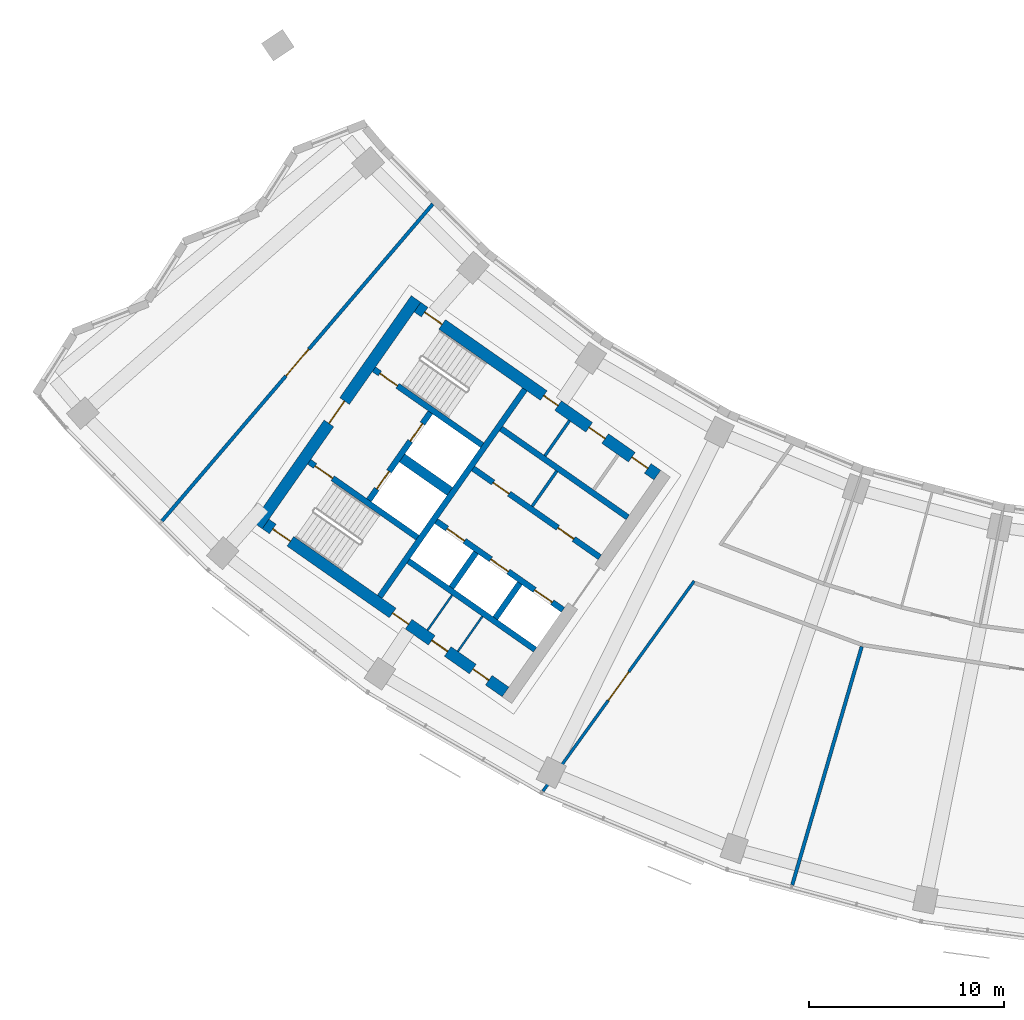
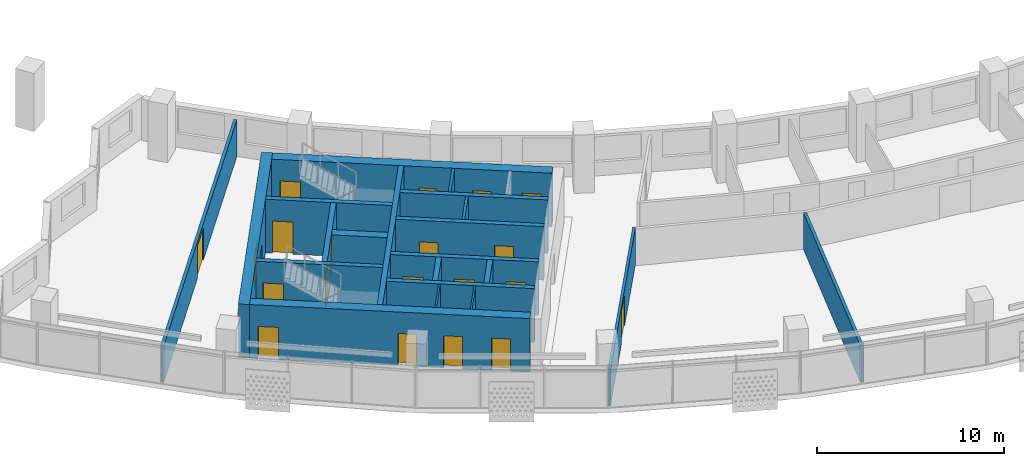
# One storey, part 3 of 26: 21 walls, 20 doors, 20 openings.
"""IFC4 building model written with IfcOpenShell, lengths in metres."""

from ifc_helpers import new_model, si_unit, direction, frame, frame_2d, origin, place, context, subcontext, project, spatial, rectangle, extrude, material, layer, layer_set, type_object, element, fill, save


model = new_model("IFC4")

# Units and contexts
model_context = context("Model", 3, precision=1e-05, world=origin(), true_north=direction((0.0, 1.0)))
body_context = subcontext(model_context, "Body", "Model", "MODEL_VIEW")
ifc_project = project(units=[si_unit("LENGTHUNIT", "METRE"), si_unit("AREAUNIT", "SQUARE_METRE"), si_unit("VOLUMEUNIT", "CUBIC_METRE"), si_unit("PLANEANGLEUNIT", "RADIAN"), si_unit("MASSUNIT", "GRAM", prefix="KILO")], contexts=[model_context])

# Site, building, storey
site_placement = place(None, origin())
site = spatial("IfcSite", under=ifc_project, at=site_placement, CompositionType="ELEMENT")
building_placement = place(site_placement, origin())
building = spatial("IfcBuilding", under=site, at=building_placement, Name="Qamariyya Broadcast Tower", CompositionType="ELEMENT")
storey_placement = place(building_placement, frame((0.0, 0.0, 168.300048828125)))
storey = spatial("IfcBuildingStorey", under=building, at=storey_placement, Name="L39", CompositionType="ELEMENT", Elevation=168.300048828125)

# Wall, opening, door
ifc_material_1 = material(Name="Concrete C60/75", Category="concrete")
ifc_layer_1 = layer(ifc_material_1, 0.60009765625)
ifc_layer_set_1 = layer_set([ifc_layer_1], Name="Core wall 600 mm Concrete C60/75")
wall_type_1 = type_object("IfcWallType", Name="Core wall 600 mm Concrete C60/75", PredefinedType="SHEAR", material=ifc_layer_set_1)
wall_1_placement = place(storey_placement, frame((-49.4833984375, -57.031494140625, 0.0), z_axis=(0.0, 0.0, 1.0), x_axis=(0.573560421458, 0.819163257805, 0.0)))
wall_1 = element("IfcWall", 1, at=wall_1_placement, inside=storey, type_object=wall_type_1, Name="k-W-L39-WH", PredefinedType="SHEAR", context=body_context, shape_type="SweptSolid", body=[
    extrude(rectangle(XDim=14.199951171875, YDim=0.60009765625, at=frame_2d((7.10009765625, 0.0))), origin(), (0.0, 0.0, 1.0), 3.5),
])
opening_1_placement = place(wall_1_placement, frame((6.39990234375, 0.0, 0.0)))
opening_1 = element("IfcOpeningElement", 2, at=opening_1_placement, cuts=wall_1, Name="Opening KD2-W1", PredefinedType="OPENING", context=body_context, shape_type="SweptSolid", body=[
    extrude(rectangle(XDim=1.39990234375, YDim=2.10009765625, at=frame_2d((0.699951171875, 1.050048828125))), frame((0.0, 0.31005859375, 0.0), z_axis=(0.0, -1.0, 0.0), x_axis=(1.0, 0.0, 0.0)), (0.0, 0.0, 1.0), 0.6201171875),
])
ifc_material_2 = material(Name="Steel fire-resisting door leaf", Category="steel")
door_type_1 = type_object("IfcDoorType", Name="Fire-fighting lobby door KD2", OperationType="DOUBLE_DOOR_SINGLE_SWING", PredefinedType="DOOR", material=ifc_material_2)
door_1_placement = place(opening_1_placement, origin())
door_1 = element("IfcDoor", 3, at=door_1_placement, inside=storey, type_object=door_type_1, Name="k-W-L39-WH-D15", OperationType="DOUBLE_DOOR_SINGLE_SWING", OverallHeight=2.10009765625, OverallWidth=1.39990234375, PredefinedType="DOOR", context=body_context, shape_type="SweptSolid", body=[
    extrude(rectangle(XDim=1.39990234375, YDim=2.10009765625, at=frame_2d((0.699951171875, 1.050048828125))), frame((0.0, 0.02490234375, 0.0), z_axis=(0.0, -1.0, 0.0), x_axis=(1.0, 0.0, 0.0)), (0.0, 0.0, 1.0), 0.050048828125),
])
fill(opening_1, door_1)

# Wall, openings, doors
wall_2_placement = place(storey_placement, frame((-28.940673828125, -54.447021484375, 0.0), z_axis=(0.0, 0.0, 1.0), x_axis=(-0.819153391756, 0.573574511963, 0.0)))
wall_2 = element("IfcWall", 4, at=wall_2_placement, inside=storey, type_object=wall_type_1, Name="k-W-L39-WI", PredefinedType="SHEAR", context=body_context, shape_type="SweptSolid", body=[
    extrude(rectangle(XDim=15.04541015625, YDim=0.60009765625, at=frame_2d((7.522705078125, 0.0))), origin(), (0.0, 0.0, 1.0), 3.5),
])
opening_2_placement = place(wall_2_placement, frame((0.60009765625, 0.0, 0.0)))
opening_2 = element("IfcOpeningElement", 5, at=opening_2_placement, cuts=wall_2, Name="Opening KD7-W1", PredefinedType="OPENING", context=body_context, shape_type="SweptSolid", body=[
    extrude(rectangle(XDim=1.0, YDim=2.10009765625, at=frame_2d((0.5, 1.050048828125))), frame((0.0, 0.31005859375, 0.0), z_axis=(0.0, -1.0, 0.0), x_axis=(1.0, 0.0, 0.0)), (0.0, 0.0, 1.0), 0.6201171875),
])
opening_3_placement = place(wall_2_placement, frame((3.27490234375, 0.0, 0.0)))
opening_3 = element("IfcOpeningElement", 6, at=opening_3_placement, cuts=wall_2, Name="Opening KD6-W3", PredefinedType="OPENING", context=body_context, shape_type="SweptSolid", body=[
    extrude(rectangle(XDim=1.0, YDim=2.10009765625, at=frame_2d((0.5, 1.050048828125))), frame((0.0, 0.31005859375, 0.0), z_axis=(0.0, -1.0, 0.0), x_axis=(1.0, 0.0, 0.0)), (0.0, 0.0, 1.0), 0.6201171875),
])
opening_4_placement = place(wall_2_placement, frame((6.22509765625, 0.0, 0.0)))
opening_4 = element("IfcOpeningElement", 7, at=opening_4_placement, cuts=wall_2, Name="Opening KD5-W1", PredefinedType="OPENING", context=body_context, shape_type="SweptSolid", body=[
    extrude(rectangle(XDim=0.89990234375, YDim=2.10009765625, at=frame_2d((0.449951171875, 1.050048828125))), frame((0.0, 0.31005859375, 0.0), z_axis=(0.0, -1.0, 0.0), x_axis=(1.0, 0.0, 0.0)), (0.0, 0.0, 1.0), 0.6201171875),
])
opening_5_placement = place(wall_2_placement, frame((13.495361328125, 0.0, 0.0)))
opening_5 = element("IfcOpeningElement", 8, at=opening_5_placement, cuts=wall_2, Name="Opening KD1-W1", PredefinedType="OPENING", context=body_context, shape_type="SweptSolid", body=[
    extrude(rectangle(XDim=1.10009765625, YDim=2.10009765625, at=frame_2d((0.550048828125, 1.050048828125))), frame((0.0, 0.31005859375, 0.0), z_axis=(0.0, -1.0, 0.0), x_axis=(1.0, 0.0, 0.0)), (0.0, 0.0, 1.0), 0.6201171875),
])
door_type_2 = type_object("IfcDoorType", Name="Accessible toilet door KD7", OperationType="SINGLE_SWING_LEFT", PredefinedType="DOOR", material=ifc_material_2)
door_2_placement = place(opening_2_placement, origin())
door_2 = element("IfcDoor", 9, at=door_2_placement, inside=storey, type_object=door_type_2, Name="k-W-L39-WI-D7", OperationType="SINGLE_SWING_RIGHT", OverallHeight=2.10009765625, OverallWidth=1.0, PredefinedType="DOOR", context=body_context, shape_type="SweptSolid", body=[
    extrude(rectangle(XDim=1.0, YDim=2.10009765625, at=frame_2d((0.5, 1.050048828125))), frame((0.0, 0.02490234375, 0.0), z_axis=(0.0, -1.0, 0.0), x_axis=(1.0, 0.0, 0.0)), (0.0, 0.0, 1.0), 0.050048828125),
])
fill(opening_2, door_2)
door_type_3 = type_object("IfcDoorType", Name="Core room door KD6", OperationType="SINGLE_SWING_LEFT", PredefinedType="DOOR", material=ifc_material_2)
door_3_placement = place(opening_3_placement, origin())
door_3 = element("IfcDoor", 10, at=door_3_placement, inside=storey, type_object=door_type_3, Name="k-W-L39-WI-D8", OperationType="SINGLE_SWING_LEFT", OverallHeight=2.10009765625, OverallWidth=1.0, PredefinedType="DOOR", context=body_context, shape_type="SweptSolid", body=[
    extrude(rectangle(XDim=1.0, YDim=2.10009765625, at=frame_2d((0.5, 1.050048828125))), frame((0.0, 0.02490234375, 0.0), z_axis=(0.0, -1.0, 0.0), x_axis=(1.0, 0.0, 0.0)), (0.0, 0.0, 1.0), 0.050048828125),
])
fill(opening_3, door_3)
door_type_4 = type_object("IfcDoorType", Name="Stair door KD1", OperationType="SINGLE_SWING_LEFT", PredefinedType="DOOR", material=ifc_material_2)
door_4_placement = place(opening_5_placement, origin())
door_4 = element("IfcDoor", 11, at=door_4_placement, inside=storey, type_object=door_type_4, Name="k-W-L39-WI-D16", OperationType="SINGLE_SWING_RIGHT", OverallHeight=2.10009765625, OverallWidth=1.10009765625, PredefinedType="DOOR", context=body_context, shape_type="SweptSolid", body=[
    extrude(rectangle(XDim=1.10009765625, YDim=2.10009765625, at=frame_2d((0.550048828125, 1.050048828125))), frame((0.0, 0.02490234375, 0.0), z_axis=(0.0, -1.0, 0.0), x_axis=(1.0, 0.0, 0.0)), (0.0, 0.0, 1.0), 0.050048828125),
])
fill(opening_5, door_4)
door_type_5 = type_object("IfcDoorType", Name="Toilet door KD5", OperationType="SINGLE_SWING_LEFT", PredefinedType="DOOR", material=ifc_material_2)
door_5_placement = place(opening_4_placement, origin())
door_5 = element("IfcDoor", 12, at=door_5_placement, inside=storey, type_object=door_type_5, Name="k-W-L39-WI-D9", OperationType="SINGLE_SWING_RIGHT", OverallHeight=2.10009765625, OverallWidth=0.89990234375, PredefinedType="DOOR", context=body_context, shape_type="SweptSolid", body=[
    extrude(rectangle(XDim=0.89990234375, YDim=2.10009765625, at=frame_2d((0.449951171875, 1.050048828125))), frame((0.0, 0.02490234375, 0.0), z_axis=(0.0, -1.0, 0.0), x_axis=(1.0, 0.0, 0.0)), (0.0, 0.0, 1.0), 0.050048828125),
])
fill(opening_4, door_5)

wall_3_placement = place(storey_placement, frame((-36.7412109375, -65.58740234375, 0.0), z_axis=(0.0, 0.0, 1.0), x_axis=(-0.819153391756, 0.573574511963, 0.0)))
wall_3 = element("IfcWall", 13, at=wall_3_placement, inside=storey, type_object=wall_type_1, Name="k-W-L39-WO", PredefinedType="SHEAR", context=body_context, shape_type="SweptSolid", body=[
    extrude(rectangle(XDim=15.04541015625, YDim=0.60009765625, at=frame_2d((7.522705078125, 0.0))), origin(), (0.0, 0.0, 1.0), 3.5),
])
opening_6_placement = place(wall_3_placement, frame((1.050048828125, 0.0, 0.0)))
opening_6 = element("IfcOpeningElement", 14, at=opening_6_placement, cuts=wall_3, Name="Opening KD4-W1", PredefinedType="OPENING", context=body_context, shape_type="SweptSolid", body=[
    extrude(rectangle(XDim=1.0, YDim=2.10009765625, at=frame_2d((0.5, 1.050048828125))), frame((0.0, 0.31005859375, 0.0), z_axis=(0.0, -1.0, 0.0), x_axis=(1.0, 0.0, 0.0)), (0.0, 0.0, 1.0), 0.6201171875),
])
opening_7_placement = place(wall_3_placement, frame((3.625, 0.0, 0.0)))
opening_7 = element("IfcOpeningElement", 15, at=opening_7_placement, cuts=wall_3, Name="Opening KD4-W2", PredefinedType="OPENING", context=body_context, shape_type="SweptSolid", body=[
    extrude(rectangle(XDim=1.0, YDim=2.10009765625, at=frame_2d((0.5, 1.050048828125))), frame((0.0, 0.31005859375, 0.0), z_axis=(0.0, -1.0, 0.0), x_axis=(1.0, 0.0, 0.0)), (0.0, 0.0, 1.0), 0.6201171875),
])
opening_8_placement = place(wall_3_placement, frame((6.074951171875, 0.0, 0.0)))
opening_8 = element("IfcOpeningElement", 16, at=opening_8_placement, cuts=wall_3, Name="Opening KD6-W4", PredefinedType="OPENING", context=body_context, shape_type="SweptSolid", body=[
    extrude(rectangle(XDim=1.0, YDim=2.10009765625, at=frame_2d((0.5, 1.050048828125))), frame((0.0, 0.31005859375, 0.0), z_axis=(0.0, -1.0, 0.0), x_axis=(1.0, 0.0, 0.0)), (0.0, 0.0, 1.0), 0.6201171875),
])
opening_9_placement = place(wall_3_placement, frame((13.495361328125, 0.0, 0.0)))
opening_9 = element("IfcOpeningElement", 17, at=opening_9_placement, cuts=wall_3, Name="Opening KD1-W3", PredefinedType="OPENING", context=body_context, shape_type="SweptSolid", body=[
    extrude(rectangle(XDim=1.10009765625, YDim=2.10009765625, at=frame_2d((0.550048828125, 1.050048828125))), frame((0.0, 0.31005859375, 0.0), z_axis=(0.0, -1.0, 0.0), x_axis=(1.0, 0.0, 0.0)), (0.0, 0.0, 1.0), 0.6201171875),
])
door_6_placement = place(opening_8_placement, origin())
door_6 = element("IfcDoor", 18, at=door_6_placement, inside=storey, type_object=door_type_3, Name="k-W-L39-WO-D12", OperationType="SINGLE_SWING_LEFT", OverallHeight=2.10009765625, OverallWidth=1.0, PredefinedType="DOOR", context=body_context, shape_type="SweptSolid", body=[
    extrude(rectangle(XDim=1.0, YDim=2.10009765625, at=frame_2d((0.5, 1.050048828125))), frame((0.0, 0.02490234375, 0.0), z_axis=(0.0, -1.0, 0.0), x_axis=(1.0, 0.0, 0.0)), (0.0, 0.0, 1.0), 0.050048828125),
])
fill(opening_8, door_6)
door_type_6 = type_object("IfcDoorType", Name="Riser and plant door KD4", OperationType="SINGLE_SWING_LEFT", PredefinedType="DOOR", material=ifc_material_2)
door_7_placement = place(opening_6_placement, origin())
door_7 = element("IfcDoor", 19, at=door_7_placement, inside=storey, type_object=door_type_6, Name="k-W-L39-WO-D10", OperationType="SINGLE_SWING_LEFT", OverallHeight=2.10009765625, OverallWidth=1.0, PredefinedType="DOOR", context=body_context, shape_type="SweptSolid", body=[
    extrude(rectangle(XDim=1.0, YDim=2.10009765625, at=frame_2d((0.5, 1.050048828125))), frame((0.0, 0.02490234375, 0.0), z_axis=(0.0, -1.0, 0.0), x_axis=(1.0, 0.0, 0.0)), (0.0, 0.0, 1.0), 0.050048828125),
])
fill(opening_6, door_7)
door_8_placement = place(opening_7_placement, origin())
door_8 = element("IfcDoor", 20, at=door_8_placement, inside=storey, type_object=door_type_6, Name="k-W-L39-WO-D11", OperationType="SINGLE_SWING_RIGHT", OverallHeight=2.10009765625, OverallWidth=1.0, PredefinedType="DOOR", context=body_context, shape_type="SweptSolid", body=[
    extrude(rectangle(XDim=1.0, YDim=2.10009765625, at=frame_2d((0.5, 1.050048828125))), frame((0.0, 0.02490234375, 0.0), z_axis=(0.0, -1.0, 0.0), x_axis=(1.0, 0.0, 0.0)), (0.0, 0.0, 1.0), 0.050048828125),
])
fill(opening_7, door_8)
door_9_placement = place(opening_9_placement, origin())
door_9 = element("IfcDoor", 21, at=door_9_placement, inside=storey, type_object=door_type_4, Name="k-W-L39-WO-D18", OperationType="SINGLE_SWING_LEFT", OverallHeight=2.10009765625, OverallWidth=1.10009765625, PredefinedType="DOOR", context=body_context, shape_type="SweptSolid", body=[
    extrude(rectangle(XDim=1.10009765625, YDim=2.10009765625, at=frame_2d((0.550048828125, 1.050048828125))), frame((0.0, 0.02490234375, 0.0), z_axis=(0.0, -1.0, 0.0), x_axis=(1.0, 0.0, 0.0)), (0.0, 0.0, 1.0), 0.050048828125),
])
fill(opening_9, door_9)

# Wall, opening, door
ifc_material_3 = material(Name="Gypsum board partition")
ifc_layer_2 = layer(ifc_material_3, 0.14990234375)
ifc_layer_set_2 = layer_set([ifc_layer_2], Name="Corridor partition 150 EI 60")
wall_type_2 = type_object("IfcWallType", Name="Corridor partition 150 EI 60", PredefinedType="PARTITIONING", material=ifc_layer_set_2)
wall_4_placement = place(storey_placement, frame((-27.048095703125, -59.886962890625, 0.0), z_axis=(0.0, 0.0, 1.0), x_axis=(-0.584166530414, -0.811633824298, 0.0)))
wall_4 = element("IfcWall", 22, at=wall_4_placement, inside=storey, type_object=wall_type_2, Name="Partition L39-002", PredefinedType="PARTITIONING", context=body_context, shape_type="SweptSolid", body=[
    extrude(rectangle(XDim=13.31103515625, YDim=0.14990234375, at=frame_2d((6.655517578125, 0.0))), origin(), (0.0, 0.0, 1.0), 2.39990234375),
])
opening_10_placement = place(wall_4_placement, frame((5.755615234375, 0.0, 0.0)))
opening_10 = element("IfcOpeningElement", 23, at=opening_10_placement, cuts=wall_4, Name="Opening L39-D01", PredefinedType="OPENING", context=body_context, shape_type="SweptSolid", body=[
    extrude(rectangle(XDim=1.800048828125, YDim=2.10009765625, at=frame_2d((0.89990234375, 1.050048828125))), frame((0.0, 0.0849609375, 0.0), z_axis=(0.0, -1.0, 0.0), x_axis=(1.0, 0.0, 0.0)), (0.0, 0.0, 1.0), 0.169921875),
])
ifc_material_4 = material(Name="Timber fire door leaf", Category="wood")
door_type_7 = type_object("IfcDoorType", Name="Double fire door 1800 x 2100 FD60", OperationType="NOTDEFINED", PredefinedType="DOOR", material=ifc_material_4)
door_10_placement = place(opening_10_placement, origin())
door_10 = element("IfcDoor", 24, at=door_10_placement, inside=storey, type_object=door_type_7, Name="Door L39-D01", OperationType="DOUBLE_DOOR_SINGLE_SWING", OverallHeight=2.10009765625, OverallWidth=1.800048828125, PredefinedType="DOOR", context=body_context, shape_type="SweptSolid", body=[
    extrude(rectangle(XDim=1.800048828125, YDim=2.10009765625, at=frame_2d((0.89990234375, 1.050048828125))), frame((0.0, 0.02490234375, 0.0), z_axis=(0.0, -1.0, 0.0), x_axis=(1.0, 0.0, 0.0)), (0.0, 0.0, 1.0), 0.050048828125),
])
fill(opening_10, door_10)

# Walls
ifc_layer_3 = layer(ifc_material_1, 0.5)
ifc_layer_set_3 = layer_set([ifc_layer_3], Name="Fire-fighting lobby divider wall 500 mm Concrete C60/75")
wall_type_3 = type_object("IfcWallType", Name="Fire-fighting lobby divider wall 500 mm Concrete C60/75", PredefinedType="SOLIDWALL", material=ifc_layer_set_3)
wall_5_placement = place(storey_placement, frame((-39.59912109375, -55.28515625, 0.0), z_axis=(0.0, 0.0, 1.0), x_axis=(-0.819136323161, 0.573598887793, 0.0)))
element("IfcWall", 25, at=wall_5_placement, inside=storey, type_object=wall_type_3, Name="k-W-L39-FD", PredefinedType="SOLIDWALL", context=body_context, shape_type="SweptSolid", body=[
    extrude(rectangle(XDim=2.999755859375, YDim=0.5, at=frame_2d((1.5, 0.0))), origin(), (0.0, 0.0, 1.0), 3.5),
])
ifc_material_5 = material(Name="Gypsum board partition on steel studs", Category="steel")
ifc_layer_4 = layer(ifc_material_5, 0.14990234375)
ifc_layer_set_4 = layer_set([ifc_layer_4], Name="Gypsum board partition 150 mm")
wall_type_4 = type_object("IfcWallType", Name="Gypsum board partition 150 mm", PredefinedType="PARTITIONING", material=ifc_layer_set_4)
wall_6_placement = place(storey_placement, frame((-35.371826171875, -56.047607421875, 0.0), z_axis=(0.0, 0.0, 1.0), x_axis=(0.573559170999, 0.819164133348, 0.0)))
element("IfcWall", 26, at=wall_6_placement, inside=storey, type_object=wall_type_4, Name="k-W-L39-NC435", PredefinedType="PARTITIONING", context=body_context, shape_type="SweptSolid", body=[
    extrude(rectangle(XDim=2.19970703125, YDim=0.14990234375, at=frame_2d((1.099853515625, 0.0))), origin(), (0.0, 0.0, 1.0), 3.5),
])
wall_7_placement = place(storey_placement, frame((-34.716064453125, -53.454833984375, 0.0), z_axis=(0.0, 0.0, 1.0), x_axis=(0.573507030513, 0.819200638399, 0.0)))
element("IfcWall", 27, at=wall_7_placement, inside=storey, type_object=wall_type_4, Name="k-W-L39-NP530", PredefinedType="PARTITIONING", context=body_context, shape_type="SweptSolid", body=[
    extrude(rectangle(XDim=2.199951171875, YDim=0.14990234375, at=frame_2d((1.10009765625, 0.0))), origin(), (0.0, 0.0, 1.0), 3.5),
])
ifc_layer_5 = layer(ifc_material_1, 0.300048828125)
ifc_layer_set_5 = layer_set([ifc_layer_5], Name="Lift shaft wall 300 mm Concrete C60/75")
wall_type_5 = type_object("IfcWallType", Name="Lift shaft wall 300 mm Concrete C60/75", PredefinedType="SOLIDWALL", material=ifc_layer_set_5)
wall_8_placement = place(storey_placement, frame((-43.204345703125, -60.69580078125, 0.0), z_axis=(0.0, 0.0, 1.0), x_axis=(0.573571992966, 0.819155155563, 0.0)))
element("IfcWall", 28, at=wall_8_placement, inside=storey, type_object=wall_type_5, Name="k-W-L39-WL", PredefinedType="SOLIDWALL", context=body_context, shape_type="SweptSolid", body=[
    extrude(rectangle(XDim=13.000244140625, YDim=0.300048828125, at=frame_2d((6.5, 0.0))), origin(), (0.0, 0.0, 1.0), 3.5),
])

# Wall, openings, doors
wall_9_placement = place(storey_placement, frame((-31.89453125, -58.66552734375, 0.0), z_axis=(0.0, 0.0, 1.0), x_axis=(-0.819166993208, 0.573555086491, 0.0)))
wall_9 = element("IfcWall", 29, at=wall_9_placement, inside=storey, type_object=wall_type_5, Name="k-W-L39-NF0", PredefinedType="SOLIDWALL", context=body_context, shape_type="SweptSolid", body=[
    extrude(rectangle(XDim=7.9501953125, YDim=0.300048828125, at=frame_2d((3.97509765625, 0.0))), origin(), (0.0, 0.0, 1.0), 3.5),
])
opening_11_placement = place(wall_9_placement, frame((1.637451171875, 0.0, 0.0)))
opening_11 = element("IfcOpeningElement", 30, at=opening_11_placement, cuts=wall_9, Name="Opening KD6-W1", PredefinedType="OPENING", context=body_context, shape_type="SweptSolid", body=[
    extrude(rectangle(XDim=1.0, YDim=2.10009765625, at=frame_2d((0.5, 1.050048828125))), frame((0.0, 0.159912109375, 0.0), z_axis=(0.0, -1.0, 0.0), x_axis=(1.0, 0.0, 0.0)), (0.0, 0.0, 1.0), 0.320068359375),
])
opening_12_placement = place(wall_9_placement, frame((5.6875, 0.0, 0.0)))
opening_12 = element("IfcOpeningElement", 31, at=opening_12_placement, cuts=wall_9, Name="Opening KD6-W2", PredefinedType="OPENING", context=body_context, shape_type="SweptSolid", body=[
    extrude(rectangle(XDim=1.0, YDim=2.10009765625, at=frame_2d((0.5, 1.050048828125))), frame((0.0, 0.159912109375, 0.0), z_axis=(0.0, -1.0, 0.0), x_axis=(1.0, 0.0, 0.0)), (0.0, 0.0, 1.0), 0.320068359375),
])
door_11_placement = place(opening_11_placement, origin())
door_11 = element("IfcDoor", 32, at=door_11_placement, inside=storey, type_object=door_type_3, Name="k-W-L39-NF0-D2", OperationType="SINGLE_SWING_LEFT", OverallHeight=2.10009765625, OverallWidth=1.0, PredefinedType="DOOR", context=body_context, shape_type="SweptSolid", body=[
    extrude(rectangle(XDim=1.0, YDim=2.10009765625, at=frame_2d((0.5, 1.050048828125))), frame((0.0, 0.02490234375, 0.0), z_axis=(0.0, -1.0, 0.0), x_axis=(1.0, 0.0, 0.0)), (0.0, 0.0, 1.0), 0.050048828125),
])
fill(opening_11, door_11)
door_12_placement = place(opening_12_placement, origin())
door_12 = element("IfcDoor", 33, at=door_12_placement, inside=storey, type_object=door_type_3, Name="k-W-L39-NF0-D3", OperationType="SINGLE_SWING_RIGHT", OverallHeight=2.10009765625, OverallWidth=1.0, PredefinedType="DOOR", context=body_context, shape_type="SweptSolid", body=[
    extrude(rectangle(XDim=1.0, YDim=2.10009765625, at=frame_2d((0.5, 1.050048828125))), frame((0.0, 0.02490234375, 0.0), z_axis=(0.0, -1.0, 0.0), x_axis=(1.0, 0.0, 0.0)), (0.0, 0.0, 1.0), 0.050048828125),
])
fill(opening_12, door_12)

# Wall
wall_10_placement = place(storey_placement, frame((-30.460693359375, -56.61767578125, 0.0), z_axis=(0.0, 0.0, 1.0), x_axis=(-0.819142461705, 0.573590121456, 0.0)))
element("IfcWall", 34, at=wall_10_placement, inside=storey, type_object=wall_type_5, Name="k-W-L39-NB0", PredefinedType="SOLIDWALL", context=body_context, shape_type="SweptSolid", body=[
    extrude(rectangle(XDim=7.949951171875, YDim=0.300048828125, at=frame_2d((3.97509765625, 0.0))), origin(), (0.0, 0.0, 1.0), 3.5),
])

# Wall, openings, doors
wall_11_placement = place(storey_placement, frame((-33.787353515625, -61.368896484375, 0.0), z_axis=(0.0, 0.0, 1.0), x_axis=(-0.819152564888, 0.573575692858, 0.0)))
wall_11 = element("IfcWall", 35, at=wall_11_placement, inside=storey, type_object=wall_type_5, Name="k-W-L39-SF0", PredefinedType="SOLIDWALL", context=body_context, shape_type="SweptSolid", body=[
    extrude(rectangle(XDim=7.9501953125, YDim=0.300048828125, at=frame_2d((3.97509765625, 0.0))), origin(), (0.0, 0.0, 1.0), 3.5),
])
opening_13_placement = place(wall_11_placement, frame((0.675048828125, 0.0, 0.0)))
opening_13 = element("IfcOpeningElement", 36, at=opening_13_placement, cuts=wall_11, Name="Opening LD", PredefinedType="OPENING", context=body_context, shape_type="SweptSolid", body=[
    extrude(rectangle(XDim=1.10009765625, YDim=2.10009765625, at=frame_2d((0.550048828125, 1.050048828125))), frame((0.0, 0.159912109375, 0.0), z_axis=(0.0, -1.0, 0.0), x_axis=(1.0, 0.0, 0.0)), (0.0, 0.0, 1.0), 0.320068359375),
])
opening_14_placement = place(wall_11_placement, frame((3.425048828125, 0.0, 0.0)))
opening_14 = element("IfcOpeningElement", 37, at=opening_14_placement, cuts=wall_11, Name="Opening LD", PredefinedType="OPENING", context=body_context, shape_type="SweptSolid", body=[
    extrude(rectangle(XDim=1.10009765625, YDim=2.10009765625, at=frame_2d((0.550048828125, 1.050048828125))), frame((0.0, 0.159912109375, 0.0), z_axis=(0.0, -1.0, 0.0), x_axis=(1.0, 0.0, 0.0)), (0.0, 0.0, 1.0), 0.320068359375),
])
opening_15_placement = place(wall_11_placement, frame((6.175048828125, 0.0, 0.0)))
opening_15 = element("IfcOpeningElement", 38, at=opening_15_placement, cuts=wall_11, Name="Opening LD", PredefinedType="OPENING", context=body_context, shape_type="SweptSolid", body=[
    extrude(rectangle(XDim=1.10009765625, YDim=2.10009765625, at=frame_2d((0.550048828125, 1.050048828125))), frame((0.0, 0.159912109375, 0.0), z_axis=(0.0, -1.0, 0.0), x_axis=(1.0, 0.0, 0.0)), (0.0, 0.0, 1.0), 0.320068359375),
])
door_type_8 = type_object("IfcDoorType", Name="Lift landing door LD", OperationType="DOUBLE_DOOR_SLIDING", PredefinedType="DOOR", material=ifc_material_2)
door_13_placement = place(opening_13_placement, origin())
door_13 = element("IfcDoor", 39, at=door_13_placement, inside=storey, type_object=door_type_8, Name="k-W-L39-SF0-D4", OperationType="DOUBLE_DOOR_SLIDING", OverallHeight=2.10009765625, OverallWidth=1.10009765625, PredefinedType="DOOR", context=body_context, shape_type="SweptSolid", body=[
    extrude(rectangle(XDim=1.10009765625, YDim=2.10009765625, at=frame_2d((0.550048828125, 1.050048828125))), frame((0.0, 0.02490234375, 0.0), z_axis=(0.0, -1.0, 0.0), x_axis=(1.0, 0.0, 0.0)), (0.0, 0.0, 1.0), 0.050048828125),
])
fill(opening_13, door_13)
door_14_placement = place(opening_14_placement, origin())
door_14 = element("IfcDoor", 40, at=door_14_placement, inside=storey, type_object=door_type_8, Name="k-W-L39-SF0-D5", OperationType="DOUBLE_DOOR_SLIDING", OverallHeight=2.10009765625, OverallWidth=1.10009765625, PredefinedType="DOOR", context=body_context, shape_type="SweptSolid", body=[
    extrude(rectangle(XDim=1.10009765625, YDim=2.10009765625, at=frame_2d((0.550048828125, 1.050048828125))), frame((0.0, 0.02490234375, 0.0), z_axis=(0.0, -1.0, 0.0), x_axis=(1.0, 0.0, 0.0)), (0.0, 0.0, 1.0), 0.050048828125),
])
fill(opening_14, door_14)
door_15_placement = place(opening_15_placement, origin())
door_15 = element("IfcDoor", 41, at=door_15_placement, inside=storey, type_object=door_type_8, Name="k-W-L39-SF0-D6", OperationType="DOUBLE_DOOR_SLIDING", OverallHeight=2.10009765625, OverallWidth=1.10009765625, PredefinedType="DOOR", context=body_context, shape_type="SweptSolid", body=[
    extrude(rectangle(XDim=1.10009765625, YDim=2.10009765625, at=frame_2d((0.550048828125, 1.050048828125))), frame((0.0, 0.02490234375, 0.0), z_axis=(0.0, -1.0, 0.0), x_axis=(1.0, 0.0, 0.0)), (0.0, 0.0, 1.0), 0.050048828125),
])
fill(opening_15, door_15)

# Walls
wall_12_placement = place(storey_placement, frame((-35.22119140625, -63.41650390625, 0.0), z_axis=(0.0, 0.0, 1.0), x_axis=(-0.819166993208, 0.573555086491, 0.0)))
element("IfcWall", 42, at=wall_12_placement, inside=storey, type_object=wall_type_5, Name="k-W-L39-SB0", PredefinedType="SOLIDWALL", context=body_context, shape_type="SweptSolid", body=[
    extrude(rectangle(XDim=7.9501953125, YDim=0.300048828125, at=frame_2d((3.97509765625, 0.0))), origin(), (0.0, 0.0, 1.0), 3.5),
])
wall_13_placement = place(storey_placement, frame((-36.003173828125, -60.000244140625, 0.0), z_axis=(0.0, 0.0, 1.0), x_axis=(-0.573581496053, -0.819148501424, 0.0)))
element("IfcWall", 43, at=wall_13_placement, inside=storey, type_object=wall_type_5, Name="k-W-L39-SD0", PredefinedType="SOLIDWALL", context=body_context, shape_type="SweptSolid", body=[
    extrude(rectangle(XDim=2.2001953125, YDim=0.300048828125, at=frame_2d((1.10009765625, 0.0))), origin(), (0.0, 0.0, 1.0), 3.5),
])
wall_14_placement = place(storey_placement, frame((-38.255859375, -58.423095703125, 0.0), z_axis=(0.0, 0.0, 1.0), x_axis=(-0.573633636671, -0.819111989218, 0.0)))
element("IfcWall", 44, at=wall_14_placement, inside=storey, type_object=wall_type_5, Name="k-W-L39-SD1", PredefinedType="SOLIDWALL", context=body_context, shape_type="SweptSolid", body=[
    extrude(rectangle(XDim=2.199951171875, YDim=0.300048828125, at=frame_2d((1.10009765625, 0.0))), origin(), (0.0, 0.0, 1.0), 3.5),
])

# Wall, opening, door
wall_15_placement = place(storey_placement, frame((-37.935546875, -52.90966796875, 0.0), z_axis=(0.0, 0.0, 1.0), x_axis=(-0.819147518138, 0.57358290031, 0.0)))
wall_15 = element("IfcWall", 45, at=wall_15_placement, inside=storey, type_object=wall_type_5, Name="k-W-L39-NW", PredefinedType="SOLIDWALL", context=body_context, shape_type="SweptSolid", body=[
    extrude(rectangle(XDim=6.79541015625, YDim=0.300048828125, at=frame_2d((3.397705078125, 0.0))), origin(), (0.0, 0.0, 1.0), 3.5),
])
opening_16_placement = place(wall_15_placement, frame((5.3203125, 0.0, 0.0)))
opening_16 = element("IfcOpeningElement", 46, at=opening_16_placement, cuts=wall_15, Name="Opening KD1-W2", PredefinedType="OPENING", context=body_context, shape_type="SweptSolid", body=[
    extrude(rectangle(XDim=1.10009765625, YDim=2.10009765625, at=frame_2d((0.550048828125, 1.050048828125))), frame((0.0, 0.159912109375, 0.0), z_axis=(0.0, -1.0, 0.0), x_axis=(1.0, 0.0, 0.0)), (0.0, 0.0, 1.0), 0.320068359375),
])
door_16_placement = place(opening_16_placement, origin())
door_16 = element("IfcDoor", 47, at=door_16_placement, inside=storey, type_object=door_type_4, Name="k-W-L39-NW-D17", OperationType="SINGLE_SWING_RIGHT", OverallHeight=2.10009765625, OverallWidth=1.10009765625, PredefinedType="DOOR", context=body_context, shape_type="SweptSolid", body=[
    extrude(rectangle(XDim=1.10009765625, YDim=2.10009765625, at=frame_2d((0.550048828125, 1.050048828125))), frame((0.0, 0.02490234375, 0.0), z_axis=(0.0, -1.0, 0.0), x_axis=(1.0, 0.0, 0.0)), (0.0, 0.0, 1.0), 0.050048828125),
])
fill(opening_16, door_16)

wall_16_placement = place(storey_placement, frame((-41.262451171875, -57.66064453125, 0.0), z_axis=(0.0, 0.0, 1.0), x_axis=(-0.819164398642, 0.573558792102, 0.0)))
wall_16 = element("IfcWall", 48, at=wall_16_placement, inside=storey, type_object=wall_type_5, Name="k-W-L39-SW", PredefinedType="SOLIDWALL", context=body_context, shape_type="SweptSolid", body=[
    extrude(rectangle(XDim=6.795166015625, YDim=0.300048828125, at=frame_2d((3.3974609375, 0.0))), origin(), (0.0, 0.0, 1.0), 3.5),
])
opening_17_placement = place(wall_16_placement, frame((5.3203125, 0.0, 0.0)))
opening_17 = element("IfcOpeningElement", 49, at=opening_17_placement, cuts=wall_16, Name="Opening KD1-W4", PredefinedType="OPENING", context=body_context, shape_type="SweptSolid", body=[
    extrude(rectangle(XDim=1.10009765625, YDim=2.10009765625, at=frame_2d((0.550048828125, 1.050048828125))), frame((0.0, 0.159912109375, 0.0), z_axis=(0.0, -1.0, 0.0), x_axis=(1.0, 0.0, 0.0)), (0.0, 0.0, 1.0), 0.320068359375),
])
door_17_placement = place(opening_17_placement, origin())
door_17 = element("IfcDoor", 50, at=door_17_placement, inside=storey, type_object=door_type_4, Name="k-W-L39-SW-D19", OperationType="SINGLE_SWING_RIGHT", OverallHeight=2.10009765625, OverallWidth=1.10009765625, PredefinedType="DOOR", context=body_context, shape_type="SweptSolid", body=[
    extrude(rectangle(XDim=1.10009765625, YDim=2.10009765625, at=frame_2d((0.550048828125, 1.050048828125))), frame((0.0, 0.02490234375, 0.0), z_axis=(0.0, -1.0, 0.0), x_axis=(1.0, 0.0, 0.0)), (0.0, 0.0, 1.0), 0.050048828125),
])
fill(opening_17, door_17)

# Wall, openings, doors
wall_17_placement = place(storey_placement, frame((-43.756591796875, -55.731201171875, 0.0), z_axis=(0.0, 0.0, 1.0), x_axis=(0.573536818435, 0.819179783625, 0.0)))
wall_17 = element("IfcWall", 51, at=wall_17_placement, inside=storey, type_object=wall_type_5, Name="k-W-L39-FF", PredefinedType="SOLIDWALL", context=body_context, shape_type="SweptSolid", body=[
    extrude(rectangle(XDim=5.500244140625, YDim=0.300048828125, at=frame_2d((2.75, 0.0))), origin(), (0.0, 0.0, 1.0), 3.5),
])
opening_18_placement = place(wall_17_placement, frame((0.699951171875, 0.0, 0.0)))
opening_18 = element("IfcOpeningElement", 52, at=opening_18_placement, cuts=wall_17, Name="Opening LD", PredefinedType="OPENING", context=body_context, shape_type="SweptSolid", body=[
    extrude(rectangle(XDim=1.10009765625, YDim=2.10009765625, at=frame_2d((0.550048828125, 1.050048828125))), frame((0.0, 0.159912109375, 0.0), z_axis=(0.0, -1.0, 0.0), x_axis=(1.0, 0.0, 0.0)), (0.0, 0.0, 1.0), 0.320068359375),
])
opening_19_placement = place(wall_17_placement, frame((3.699951171875, 0.0, 0.0)))
opening_19 = element("IfcOpeningElement", 53, at=opening_19_placement, cuts=wall_17, Name="Opening LD", PredefinedType="OPENING", context=body_context, shape_type="SweptSolid", body=[
    extrude(rectangle(XDim=1.10009765625, YDim=2.10009765625, at=frame_2d((0.550048828125, 1.050048828125))), frame((0.0, 0.159912109375, 0.0), z_axis=(0.0, -1.0, 0.0), x_axis=(1.0, 0.0, 0.0)), (0.0, 0.0, 1.0), 0.320068359375),
])
door_18_placement = place(opening_18_placement, origin())
door_18 = element("IfcDoor", 54, at=door_18_placement, inside=storey, type_object=door_type_8, Name="k-W-L39-FF-D13", OperationType="DOUBLE_DOOR_SLIDING", OverallHeight=2.10009765625, OverallWidth=1.10009765625, PredefinedType="DOOR", context=body_context, shape_type="SweptSolid", body=[
    extrude(rectangle(XDim=1.10009765625, YDim=2.10009765625, at=frame_2d((0.550048828125, 1.050048828125))), frame((0.0, 0.02490234375, 0.0), z_axis=(0.0, -1.0, 0.0), x_axis=(1.0, 0.0, 0.0)), (0.0, 0.0, 1.0), 0.050048828125),
])
fill(opening_18, door_18)
door_19_placement = place(opening_19_placement, origin())
door_19 = element("IfcDoor", 55, at=door_19_placement, inside=storey, type_object=door_type_8, Name="k-W-L39-FF-D14", OperationType="DOUBLE_DOOR_SLIDING", OverallHeight=2.10009765625, OverallWidth=1.10009765625, PredefinedType="DOOR", context=body_context, shape_type="SweptSolid", body=[
    extrude(rectangle(XDim=1.10009765625, YDim=2.10009765625, at=frame_2d((0.550048828125, 1.050048828125))), frame((0.0, 0.02490234375, 0.0), z_axis=(0.0, -1.0, 0.0), x_axis=(1.0, 0.0, 0.0)), (0.0, 0.0, 1.0), 0.050048828125),
])
fill(opening_19, door_19)

# Walls
ifc_material_6 = material(Name="Fire-rated gypsum shaft liner on steel studs", Category="steel")
ifc_layer_6 = layer(ifc_material_6, 0.10009765625)
ifc_layer_set_6 = layer_set([ifc_layer_6], Name="Riser wall 100 mm")
wall_type_6 = type_object("IfcWallType", Name="Riser wall 100 mm", PredefinedType="PLUMBINGWALL", material=ifc_layer_set_6)
wall_18_placement = place(storey_placement, frame((-37.9287109375, -61.7041015625, 0.0), z_axis=(0.0, 0.0, 1.0), x_axis=(-0.573559170999, -0.819164133348, 0.0)))
element("IfcWall", 56, at=wall_18_placement, inside=storey, type_object=wall_type_6, Name="k-W-L39-SP320", PredefinedType="PLUMBINGWALL", context=body_context, shape_type="SweptSolid", body=[
    extrude(rectangle(XDim=2.19970703125, YDim=0.10009765625, at=frame_2d((1.099853515625, 0.0))), origin(), (0.0, 0.0, 1.0), 3.5),
])
wall_19_placement = place(storey_placement, frame((-39.485107421875, -60.6142578125, 0.0), z_axis=(0.0, 0.0, 1.0), x_axis=(-0.573507030513, -0.819200638399, 0.0)))
element("IfcWall", 57, at=wall_19_placement, inside=storey, type_object=wall_type_6, Name="k-W-L39-SP510", PredefinedType="PLUMBINGWALL", context=body_context, shape_type="SweptSolid", body=[
    extrude(rectangle(XDim=2.199951171875, YDim=0.10009765625, at=frame_2d((1.10009765625, 0.0))), origin(), (0.0, 0.0, 1.0), 3.5),
])

# Wall, opening, door
ifc_layer_7 = layer(ifc_material_3, 0.179931640625)
ifc_layer_set_7 = layer_set([ifc_layer_7], Name="Studio acoustic partition 180 EI 60")
wall_type_7 = type_object("IfcWallType", Name="Studio acoustic partition 180 EI 60", PredefinedType="PARTITIONING", material=ifc_layer_set_7)
wall_20_placement = place(storey_placement, frame((-54.39404296875, -56.8076171875, 0.0), z_axis=(0.0, 0.0, 1.0), x_axis=(0.649633284071, 0.760247720303, 0.0)))
wall_20 = element("IfcWall", 58, at=wall_20_placement, inside=storey, type_object=wall_type_7, Name="Partition L39-001", PredefinedType="PARTITIONING", context=body_context, shape_type="SweptSolid", body=[
    extrude(rectangle(XDim=21.420166015625, YDim=0.179931640625, at=frame_2d((10.7099609375, 0.0))), origin(), (0.0, 0.0, 1.0), 2.39990234375),
])
opening_20_placement = place(wall_20_placement, frame((9.81005859375, 0.0, 0.0)))
opening_20 = element("IfcOpeningElement", 59, at=opening_20_placement, cuts=wall_20, Name="Opening L39-D15", PredefinedType="OPENING", context=body_context, shape_type="SweptSolid", body=[
    extrude(rectangle(XDim=1.800048828125, YDim=2.10009765625, at=frame_2d((0.89990234375, 1.050048828125))), frame((0.0, 0.099853515625, 0.0), z_axis=(0.0, -1.0, 0.0), x_axis=(1.0, 0.0, 0.0)), (0.0, 0.0, 1.0), 0.199951171875),
])
door_20_placement = place(opening_20_placement, origin())
door_20 = element("IfcDoor", 60, at=door_20_placement, inside=storey, type_object=door_type_7, Name="Door L39-D15", OperationType="DOUBLE_DOOR_SINGLE_SWING", OverallHeight=2.10009765625, OverallWidth=1.800048828125, PredefinedType="DOOR", context=body_context, shape_type="SweptSolid", body=[
    extrude(rectangle(XDim=1.800048828125, YDim=2.10009765625, at=frame_2d((0.89990234375, 1.050048828125))), frame((0.0, 0.02490234375, 0.0), z_axis=(0.0, -1.0, 0.0), x_axis=(1.0, 0.0, 0.0)), (0.0, 0.0, 1.0), 0.050048828125),
])
fill(opening_20, door_20)

# Wall
wall_21_placement = place(storey_placement, frame((-22.010498046875, -75.507080078125, 0.0), z_axis=(0.0, 0.0, 1.0), x_axis=(0.279847173032, 0.960044561333, 0.0)))
element("IfcWall", 61, at=wall_21_placement, inside=storey, type_object=wall_type_7, Name="Partition L39-005", PredefinedType="PARTITIONING", context=body_context, shape_type="SweptSolid", body=[
    extrude(rectangle(XDim=12.759765625, YDim=0.179931640625, at=frame_2d((6.3798828125, 0.0))), origin(), (0.0, 0.0, 1.0), 2.39990234375),
])

save(model, "model.ifc")
